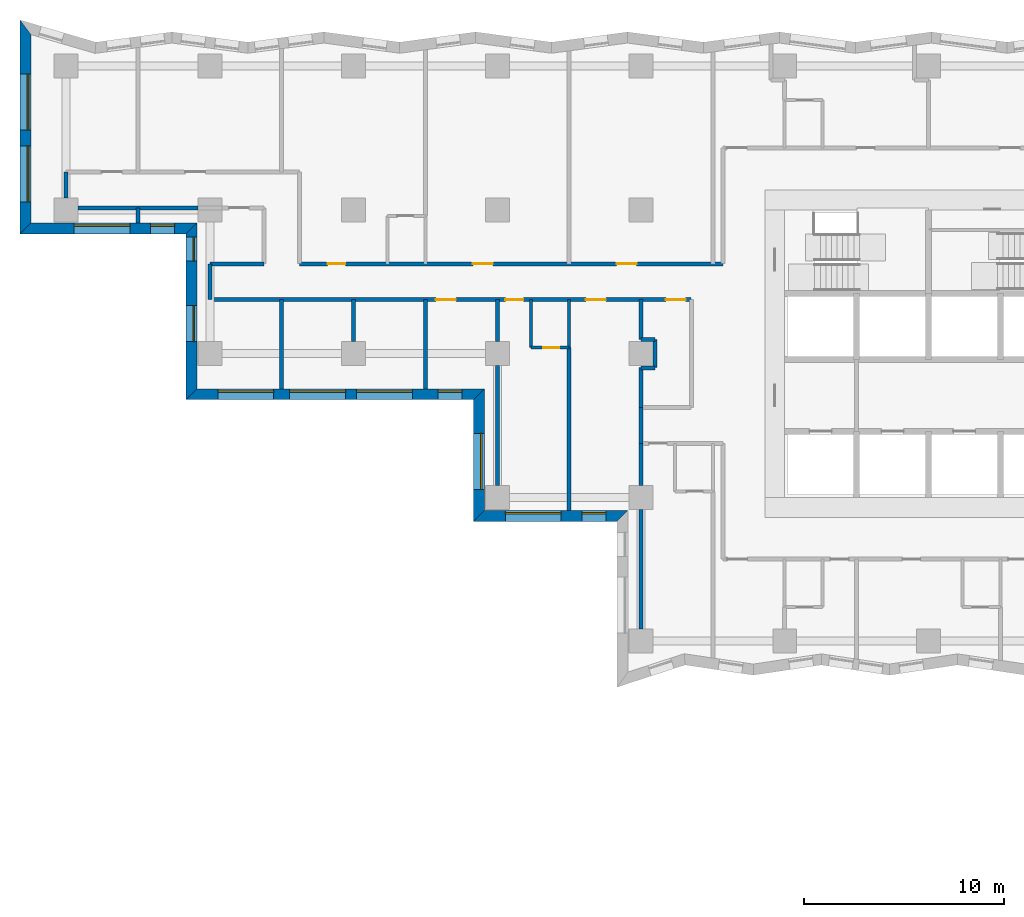
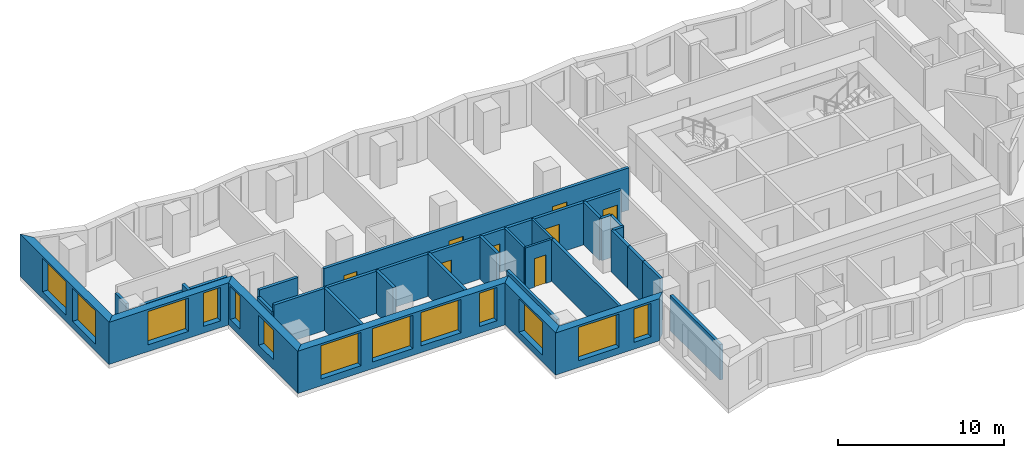
# One storey, part 3 of 12: 30 walls, 13 windows, 8 doors, 21 openings.
"""IFC4 building model written with IfcOpenShell, lengths in metres."""

from ifc_helpers import new_model, si_unit, direction, frame, frame_2d, origin, place, context, subcontext, project, spatial, polyline, rectangle, outline, extrude, material, layer, layer_set, type_object, element, fill, save


model = new_model("IFC4")

# Units and contexts
model_context = context("Model", 3, precision=1e-05, world=origin(), true_north=direction((0.0, 1.0)))
body_context = subcontext(model_context, "Body", "Model", "MODEL_VIEW")
ifc_project = project(units=[si_unit("LENGTHUNIT", "METRE"), si_unit("AREAUNIT", "SQUARE_METRE"), si_unit("VOLUMEUNIT", "CUBIC_METRE"), si_unit("PLANEANGLEUNIT", "RADIAN"), si_unit("MASSUNIT", "GRAM", prefix="KILO")], contexts=[model_context])

# Site, building, storey
site_placement = place(None, origin())
site = spatial("IfcSite", under=ifc_project, at=site_placement, CompositionType="ELEMENT")
building_placement = place(site_placement, origin())
building = spatial("IfcBuilding", under=site, at=building_placement, Name="Windrow Commons", CompositionType="ELEMENT")
storey_placement = place(building_placement, frame((0.0, 0.0, 50.8)))
storey = spatial("IfcBuildingStorey", under=building, at=storey_placement, Name="L13", CompositionType="ELEMENT", Elevation=50.8)

# Wall, openings, windows
ifc_material_1 = material(Name="Brick masonry, red clay brick", Category="masonry")
ifc_layer_1 = layer(ifc_material_1, 0.55)
ifc_layer_set_1 = layer_set([ifc_layer_1], Name="Brick facade wall 550")
wall_type_1 = type_object("IfcWallType", Name="Brick facade wall 550", PredefinedType="SOLIDWALL", material=ifc_layer_set_1)
wall_1_placement = place(storey_placement, frame((19.563, 73.9451, 0.0), z_axis=(0.0, 0.0, 1.0), x_axis=(0.0, -1.0, 0.0)))
wall_1 = element("IfcWall", 1, at=wall_1_placement, inside=storey, type_object=wall_type_1, Name="Brick facade wall L13 39", PredefinedType="SOLIDWALL", context=body_context, shape_type="SweptSolid", body=[
    extrude(outline(polyline([(-0.3669, -0.275), (10.3451, -0.275), (9.7951, 0.275), (0.3669, 0.275), (-0.3669, -0.275)])), origin(), (0.0, 0.0, 1.0), 3.1),
])
opening_1_placement = place(wall_1_placement, frame((2.3451, 0.0, 0.5)))
opening_1 = element("IfcOpeningElement", 2, at=opening_1_placement, cuts=wall_1, Name="Opening W1T", PredefinedType="OPENING", context=body_context, shape_type="SweptSolid", body=[
    extrude(rectangle(XDim=2.8, YDim=2.45, at=frame_2d((1.4, 1.225))), frame((0.0, 0.285, 0.0), z_axis=(0.0, -1.0, 0.0), x_axis=(1.0, 0.0, 0.0)), (0.0, 0.0, 1.0), 0.57),
])
opening_2_placement = place(wall_1_placement, frame((5.9451, 0.0, 0.5)))
opening_2 = element("IfcOpeningElement", 3, at=opening_2_placement, cuts=wall_1, Name="Opening W1T", PredefinedType="OPENING", context=body_context, shape_type="SweptSolid", body=[
    extrude(rectangle(XDim=2.8, YDim=2.45, at=frame_2d((1.4, 1.225))), frame((0.0, 0.285, 0.0), z_axis=(0.0, -1.0, 0.0), x_axis=(1.0, 0.0, 0.0)), (0.0, 0.0, 1.0), 0.57),
])
ifc_material_2 = material(Name="Clear float glass in anodised aluminium frame", Category="aluminium")
window_type_1 = type_object("IfcWindowType", Name="Window W1T bedroom 2800x2450", PartitioningType="SINGLE_PANEL", PredefinedType="WINDOW", material=ifc_material_2)
window_1_placement = place(opening_1_placement, origin())
window_1 = element("IfcWindow", 4, at=window_1_placement, inside=storey, type_object=window_type_1, Name="Window L13 39.1", OverallHeight=2.45, OverallWidth=2.8, PartitioningType="SINGLE_PANEL", PredefinedType="WINDOW", context=body_context, shape_type="SweptSolid", body=[
    extrude(rectangle(XDim=2.8, YDim=2.45, at=frame_2d((1.4, 1.225))), frame((0.0, 0.155, 0.0), z_axis=(0.0, -1.0, 0.0), x_axis=(1.0, 0.0, 0.0)), (0.0, 0.0, 1.0), 0.06),
])
fill(opening_1, window_1)
window_2_placement = place(opening_2_placement, origin())
window_2 = element("IfcWindow", 5, at=window_2_placement, inside=storey, type_object=window_type_1, Name="Window L13 39.2", OverallHeight=2.45, OverallWidth=2.8, PartitioningType="SINGLE_PANEL", PredefinedType="WINDOW", context=body_context, shape_type="SweptSolid", body=[
    extrude(rectangle(XDim=2.8, YDim=2.45, at=frame_2d((1.4, 1.225))), frame((0.0, 0.155, 0.0), z_axis=(0.0, -1.0, 0.0), x_axis=(1.0, 0.0, 0.0)), (0.0, 0.0, 1.0), 0.06),
])
fill(opening_2, window_2)

wall_2_placement = place(storey_placement, frame((19.563, 63.875, 0.0), z_axis=(0.0, 0.0, 1.0), x_axis=(1.0, 0.0, 0.0)))
wall_2 = element("IfcWall", 6, at=wall_2_placement, inside=storey, type_object=wall_type_1, Name="Brick facade wall L13 40", PredefinedType="SOLIDWALL", context=body_context, shape_type="SweptSolid", body=[
    extrude(outline(polyline([(-0.275, -0.275), (8.037, -0.275), (8.587, 0.275), (0.275, 0.275), (-0.275, -0.275)])), origin(), (0.0, 0.0, 1.0), 3.1),
])
opening_3_placement = place(wall_2_placement, frame((2.437, 0.0, 0.5)))
opening_3 = element("IfcOpeningElement", 7, at=opening_3_placement, cuts=wall_2, Name="Opening W1T", PredefinedType="OPENING", context=body_context, shape_type="SweptSolid", body=[
    extrude(rectangle(XDim=2.8, YDim=2.45, at=frame_2d((1.4, 1.225))), frame((0.0, 0.285, 0.0), z_axis=(0.0, -1.0, 0.0), x_axis=(1.0, 0.0, 0.0)), (0.0, 0.0, 1.0), 0.57),
])
opening_4_placement = place(wall_2_placement, frame((6.2745, 0.0, 0.5)))
opening_4 = element("IfcOpeningElement", 8, at=opening_4_placement, cuts=wall_2, Name="Opening W7D", PredefinedType="OPENING", context=body_context, shape_type="SweptSolid", body=[
    extrude(rectangle(XDim=1.2, YDim=2.45, at=frame_2d((0.6, 1.225))), frame((0.0, 0.285, 0.0), z_axis=(0.0, -1.0, 0.0), x_axis=(1.0, 0.0, 0.0)), (0.0, 0.0, 1.0), 0.57),
])
window_3_placement = place(opening_3_placement, origin())
window_3 = element("IfcWindow", 9, at=window_3_placement, inside=storey, type_object=window_type_1, Name="Window L13 40.1", OverallHeight=2.45, OverallWidth=2.8, PartitioningType="SINGLE_PANEL", PredefinedType="WINDOW", context=body_context, shape_type="SweptSolid", body=[
    extrude(rectangle(XDim=2.8, YDim=2.45, at=frame_2d((1.4, 1.225))), frame((0.0, 0.155, 0.0), z_axis=(0.0, -1.0, 0.0), x_axis=(1.0, 0.0, 0.0)), (0.0, 0.0, 1.0), 0.06),
])
fill(opening_3, window_3)
ifc_material_3 = material(Name="Clear float glass in anodised aluminium frame", Category="aluminium")
window_type_2 = type_object("IfcWindowType", Name="Window W7 notch 1200x2450", PartitioningType="SINGLE_PANEL", PredefinedType="WINDOW", material=ifc_material_3)
window_4_placement = place(opening_4_placement, origin())
window_4 = element("IfcWindow", 10, at=window_4_placement, inside=storey, type_object=window_type_2, Name="Window L13 40.2", OverallHeight=2.45, OverallWidth=1.2, PartitioningType="SINGLE_PANEL", PredefinedType="WINDOW", context=body_context, shape_type="SweptSolid", body=[
    extrude(rectangle(XDim=1.2, YDim=2.45, at=frame_2d((0.6, 1.225))), frame((0.0, 0.155, 0.0), z_axis=(0.0, -1.0, 0.0), x_axis=(1.0, 0.0, 0.0)), (0.0, 0.0, 1.0), 0.06),
])
fill(opening_4, window_4)

wall_3_placement = place(storey_placement, frame((27.875, 63.875, 0.0), z_axis=(0.0, 0.0, 1.0), x_axis=(0.0, -1.0, 0.0)))
wall_3 = element("IfcWall", 11, at=wall_3_placement, inside=storey, type_object=wall_type_1, Name="Brick facade wall L13 41", PredefinedType="SOLIDWALL", context=body_context, shape_type="SweptSolid", body=[
    extrude(outline(polyline([(0.275, -0.275), (8.587, -0.275), (8.037, 0.275), (-0.275, 0.275), (0.275, -0.275)])), origin(), (0.0, 0.0, 1.0), 3.1),
])
opening_5_placement = place(wall_3_placement, frame((0.4375, 0.0, 0.5)))
opening_5 = element("IfcOpeningElement", 12, at=opening_5_placement, cuts=wall_3, Name="Opening W7D", PredefinedType="OPENING", context=body_context, shape_type="SweptSolid", body=[
    extrude(rectangle(XDim=1.2, YDim=2.45, at=frame_2d((0.6, 1.225))), frame((0.0, 0.285, 0.0), z_axis=(0.0, -1.0, 0.0), x_axis=(1.0, 0.0, 0.0)), (0.0, 0.0, 1.0), 0.57),
])
opening_6_placement = place(wall_3_placement, frame((3.875, 0.0, 0.7)))
opening_6 = element("IfcOpeningElement", 13, at=opening_6_placement, cuts=wall_3, Name="Opening W6", PredefinedType="OPENING", context=body_context, shape_type="SweptSolid", body=[
    extrude(rectangle(XDim=1.8, YDim=2.2, at=frame_2d((0.9, 1.1))), frame((0.0, 0.285, 0.0), z_axis=(0.0, -1.0, 0.0), x_axis=(1.0, 0.0, 0.0)), (0.0, 0.0, 1.0), 0.57),
])
ifc_material_4 = material(Name="Clear float glass in anodised aluminium frame", Category="aluminium")
window_type_3 = type_object("IfcWindowType", Name="Window W6 crown 1800x2200", PartitioningType="SINGLE_PANEL", PredefinedType="WINDOW", material=ifc_material_4)
window_5_placement = place(opening_6_placement, origin())
window_5 = element("IfcWindow", 14, at=window_5_placement, inside=storey, type_object=window_type_3, Name="Window L13 41.1A", OverallHeight=2.2, OverallWidth=1.8, PartitioningType="SINGLE_PANEL", PredefinedType="WINDOW", context=body_context, shape_type="SweptSolid", body=[
    extrude(rectangle(XDim=1.8, YDim=2.2, at=frame_2d((0.9, 1.1))), frame((0.0, 0.155, 0.0), z_axis=(0.0, -1.0, 0.0), x_axis=(1.0, 0.0, 0.0)), (0.0, 0.0, 1.0), 0.06),
])
fill(opening_6, window_5)
window_6_placement = place(opening_5_placement, origin())
window_6 = element("IfcWindow", 15, at=window_6_placement, inside=storey, type_object=window_type_2, Name="Window L13 41.2", OverallHeight=2.45, OverallWidth=1.2, PartitioningType="SINGLE_PANEL", PredefinedType="WINDOW", context=body_context, shape_type="SweptSolid", body=[
    extrude(rectangle(XDim=1.2, YDim=2.45, at=frame_2d((0.6, 1.225))), frame((0.0, 0.155, 0.0), z_axis=(0.0, -1.0, 0.0), x_axis=(1.0, 0.0, 0.0)), (0.0, 0.0, 1.0), 0.06),
])
fill(opening_5, window_6)

wall_4_placement = place(storey_placement, frame((27.875, 55.563, 0.0), z_axis=(0.0, 0.0, 1.0), x_axis=(1.0, 0.0, 0.0)))
wall_4 = element("IfcWall", 16, at=wall_4_placement, inside=storey, type_object=wall_type_1, Name="Brick facade wall L13 42", PredefinedType="SOLIDWALL", context=body_context, shape_type="SweptSolid", body=[
    extrude(outline(polyline([(-0.275, -0.275), (14.125, -0.275), (14.675, 0.275), (0.275, 0.275), (-0.275, -0.275)])), origin(), (0.0, 0.0, 1.0), 3.1),
])
opening_7_placement = place(wall_4_placement, frame((1.325, 0.0, 0.5)))
opening_7 = element("IfcOpeningElement", 17, at=opening_7_placement, cuts=wall_4, Name="Opening W1T", PredefinedType="OPENING", context=body_context, shape_type="SweptSolid", body=[
    extrude(rectangle(XDim=2.8, YDim=2.45, at=frame_2d((1.4, 1.225))), frame((0.0, 0.285, 0.0), z_axis=(0.0, -1.0, 0.0), x_axis=(1.0, 0.0, 0.0)), (0.0, 0.0, 1.0), 0.57),
])
opening_8_placement = place(wall_4_placement, frame((4.925, 0.0, 0.5)))
opening_8 = element("IfcOpeningElement", 18, at=opening_8_placement, cuts=wall_4, Name="Opening W1T", PredefinedType="OPENING", context=body_context, shape_type="SweptSolid", body=[
    extrude(rectangle(XDim=2.8, YDim=2.45, at=frame_2d((1.4, 1.225))), frame((0.0, 0.285, 0.0), z_axis=(0.0, -1.0, 0.0), x_axis=(1.0, 0.0, 0.0)), (0.0, 0.0, 1.0), 0.57),
])
opening_9_placement = place(wall_4_placement, frame((8.275, 0.0, 0.5)))
opening_9 = element("IfcOpeningElement", 19, at=opening_9_placement, cuts=wall_4, Name="Opening W1T", PredefinedType="OPENING", context=body_context, shape_type="SweptSolid", body=[
    extrude(rectangle(XDim=2.8, YDim=2.45, at=frame_2d((1.4, 1.225))), frame((0.0, 0.285, 0.0), z_axis=(0.0, -1.0, 0.0), x_axis=(1.0, 0.0, 0.0)), (0.0, 0.0, 1.0), 0.57),
])
opening_10_placement = place(wall_4_placement, frame((12.3625, 0.0, 0.5)))
opening_10 = element("IfcOpeningElement", 20, at=opening_10_placement, cuts=wall_4, Name="Opening W7D", PredefinedType="OPENING", context=body_context, shape_type="SweptSolid", body=[
    extrude(rectangle(XDim=1.2, YDim=2.45, at=frame_2d((0.6, 1.225))), frame((0.0, 0.285, 0.0), z_axis=(0.0, -1.0, 0.0), x_axis=(1.0, 0.0, 0.0)), (0.0, 0.0, 1.0), 0.57),
])
window_7_placement = place(opening_7_placement, origin())
window_7 = element("IfcWindow", 21, at=window_7_placement, inside=storey, type_object=window_type_1, Name="Window L13 42.1", OverallHeight=2.45, OverallWidth=2.8, PartitioningType="SINGLE_PANEL", PredefinedType="WINDOW", context=body_context, shape_type="SweptSolid", body=[
    extrude(rectangle(XDim=2.8, YDim=2.45, at=frame_2d((1.4, 1.225))), frame((0.0, 0.155, 0.0), z_axis=(0.0, -1.0, 0.0), x_axis=(1.0, 0.0, 0.0)), (0.0, 0.0, 1.0), 0.06),
])
fill(opening_7, window_7)
window_8_placement = place(opening_8_placement, origin())
window_8 = element("IfcWindow", 22, at=window_8_placement, inside=storey, type_object=window_type_1, Name="Window L13 42.2", OverallHeight=2.45, OverallWidth=2.8, PartitioningType="SINGLE_PANEL", PredefinedType="WINDOW", context=body_context, shape_type="SweptSolid", body=[
    extrude(rectangle(XDim=2.8, YDim=2.45, at=frame_2d((1.4, 1.225))), frame((0.0, 0.155, 0.0), z_axis=(0.0, -1.0, 0.0), x_axis=(1.0, 0.0, 0.0)), (0.0, 0.0, 1.0), 0.06),
])
fill(opening_8, window_8)
window_9_placement = place(opening_9_placement, origin())
window_9 = element("IfcWindow", 23, at=window_9_placement, inside=storey, type_object=window_type_1, Name="Window L13 42.3", OverallHeight=2.45, OverallWidth=2.8, PartitioningType="SINGLE_PANEL", PredefinedType="WINDOW", context=body_context, shape_type="SweptSolid", body=[
    extrude(rectangle(XDim=2.8, YDim=2.45, at=frame_2d((1.4, 1.225))), frame((0.0, 0.155, 0.0), z_axis=(0.0, -1.0, 0.0), x_axis=(1.0, 0.0, 0.0)), (0.0, 0.0, 1.0), 0.06),
])
fill(opening_9, window_9)
window_10_placement = place(opening_10_placement, origin())
window_10 = element("IfcWindow", 24, at=window_10_placement, inside=storey, type_object=window_type_2, Name="Window L13 42.4", OverallHeight=2.45, OverallWidth=1.2, PartitioningType="SINGLE_PANEL", PredefinedType="WINDOW", context=body_context, shape_type="SweptSolid", body=[
    extrude(rectangle(XDim=1.2, YDim=2.45, at=frame_2d((0.6, 1.225))), frame((0.0, 0.155, 0.0), z_axis=(0.0, -1.0, 0.0), x_axis=(1.0, 0.0, 0.0)), (0.0, 0.0, 1.0), 0.06),
])
fill(opening_10, window_10)

# Wall, opening, window
wall_5_placement = place(storey_placement, frame((42.275, 55.563, 0.0), z_axis=(0.0, 0.0, 1.0), x_axis=(0.0, -1.0, 0.0)))
wall_5 = element("IfcWall", 25, at=wall_5_placement, inside=storey, type_object=wall_type_1, Name="Brick facade wall L13 43", PredefinedType="SOLIDWALL", context=body_context, shape_type="SweptSolid", body=[
    extrude(outline(polyline([(0.275, -0.275), (6.363, -0.275), (5.813, 0.275), (-0.275, 0.275), (0.275, -0.275)])), origin(), (0.0, 0.0, 1.0), 3.1),
])
opening_11_placement = place(wall_5_placement, frame((1.963, 0.0, 0.5)))
opening_11 = element("IfcOpeningElement", 26, at=opening_11_placement, cuts=wall_5, Name="Opening W1T", PredefinedType="OPENING", context=body_context, shape_type="SweptSolid", body=[
    extrude(rectangle(XDim=2.8, YDim=2.45, at=frame_2d((1.4, 1.225))), frame((0.0, 0.285, 0.0), z_axis=(0.0, -1.0, 0.0), x_axis=(1.0, 0.0, 0.0)), (0.0, 0.0, 1.0), 0.57),
])
window_11_placement = place(opening_11_placement, origin())
window_11 = element("IfcWindow", 27, at=window_11_placement, inside=storey, type_object=window_type_1, Name="Window L13 43.1", OverallHeight=2.45, OverallWidth=2.8, PartitioningType="SINGLE_PANEL", PredefinedType="WINDOW", context=body_context, shape_type="SweptSolid", body=[
    extrude(rectangle(XDim=2.8, YDim=2.45, at=frame_2d((1.4, 1.225))), frame((0.0, 0.155, 0.0), z_axis=(0.0, -1.0, 0.0), x_axis=(1.0, 0.0, 0.0)), (0.0, 0.0, 1.0), 0.06),
])
fill(opening_11, window_11)

# Wall, openings, windows
wall_6_placement = place(storey_placement, frame((42.275, 49.475, 0.0), z_axis=(0.0, 0.0, 1.0), x_axis=(1.0, 0.0, 0.0)))
wall_6 = element("IfcWall", 28, at=wall_6_placement, inside=storey, type_object=wall_type_1, Name="Brick facade wall L13 44", PredefinedType="SOLIDWALL", context=body_context, shape_type="SweptSolid", body=[
    extrude(outline(polyline([(-0.275, -0.275), (6.925, -0.275), (7.475, 0.275), (0.275, 0.275), (-0.275, -0.275)])), origin(), (0.0, 0.0, 1.0), 3.1),
])
opening_12_placement = place(wall_6_placement, frame((1.325, 0.0, 0.5)))
opening_12 = element("IfcOpeningElement", 29, at=opening_12_placement, cuts=wall_6, Name="Opening W1T", PredefinedType="OPENING", context=body_context, shape_type="SweptSolid", body=[
    extrude(rectangle(XDim=2.8, YDim=2.45, at=frame_2d((1.4, 1.225))), frame((0.0, 0.285, 0.0), z_axis=(0.0, -1.0, 0.0), x_axis=(1.0, 0.0, 0.0)), (0.0, 0.0, 1.0), 0.57),
])
opening_13_placement = place(wall_6_placement, frame((5.1625, 0.0, 0.5)))
opening_13 = element("IfcOpeningElement", 30, at=opening_13_placement, cuts=wall_6, Name="Opening W7D", PredefinedType="OPENING", context=body_context, shape_type="SweptSolid", body=[
    extrude(rectangle(XDim=1.2, YDim=2.45, at=frame_2d((0.6, 1.225))), frame((0.0, 0.285, 0.0), z_axis=(0.0, -1.0, 0.0), x_axis=(1.0, 0.0, 0.0)), (0.0, 0.0, 1.0), 0.57),
])
window_12_placement = place(opening_12_placement, origin())
window_12 = element("IfcWindow", 31, at=window_12_placement, inside=storey, type_object=window_type_1, Name="Window L13 44.1", OverallHeight=2.45, OverallWidth=2.8, PartitioningType="SINGLE_PANEL", PredefinedType="WINDOW", context=body_context, shape_type="SweptSolid", body=[
    extrude(rectangle(XDim=2.8, YDim=2.45, at=frame_2d((1.4, 1.225))), frame((0.0, 0.155, 0.0), z_axis=(0.0, -1.0, 0.0), x_axis=(1.0, 0.0, 0.0)), (0.0, 0.0, 1.0), 0.06),
])
fill(opening_12, window_12)
window_13_placement = place(opening_13_placement, origin())
window_13 = element("IfcWindow", 32, at=window_13_placement, inside=storey, type_object=window_type_2, Name="Window L13 44.2", OverallHeight=2.45, OverallWidth=1.2, PartitioningType="SINGLE_PANEL", PredefinedType="WINDOW", context=body_context, shape_type="SweptSolid", body=[
    extrude(rectangle(XDim=1.2, YDim=2.45, at=frame_2d((0.6, 1.225))), frame((0.0, 0.155, 0.0), z_axis=(0.0, -1.0, 0.0), x_axis=(1.0, 0.0, 0.0)), (0.0, 0.0, 1.0), 0.06),
])
fill(opening_13, window_13)

# Wall, openings, doors
ifc_material_5 = material(Name="Blockwork partition", Category="masonry")
ifc_layer_2 = layer(ifc_material_5, 0.2)
ifc_layer_set_2 = layer_set([ifc_layer_2], Name="IW-CORRIDOR-200")
wall_type_2 = type_object("IfcWallType", Name="IW-CORRIDOR-200", PredefinedType="PARTITIONING", material=ifc_layer_set_2)
wall_7_placement = place(storey_placement, frame((28.802, 60.3, 0.0), z_axis=(0.0, 0.0, 1.0), x_axis=(1.0, 0.0, 0.0)))
wall_7 = element("IfcWall", 33, at=wall_7_placement, inside=storey, type_object=wall_type_2, Name="W-L13-W001", PredefinedType="PARTITIONING", context=body_context, shape_type="SweptSolid", body=[
    extrude(rectangle(XDim=24.108, YDim=0.2, at=frame_2d((12.054, 0.0))), origin(), (0.0, 0.0, 1.0), 3.1),
])
opening_14_placement = place(wall_7_placement, frame((11.323, 0.0, 0.0)))
opening_14 = element("IfcOpeningElement", 34, at=opening_14_placement, cuts=wall_7, Name="Opening D310F", PredefinedType="OPENING", context=body_context, shape_type="SweptSolid", body=[
    extrude(rectangle(XDim=1.0, YDim=2.1, at=frame_2d((0.5, 1.05))), frame((0.0, 0.11, 0.0), z_axis=(0.0, -1.0, 0.0), x_axis=(1.0, 0.0, 0.0)), (0.0, 0.0, 1.0), 0.22),
])
opening_15_placement = place(wall_7_placement, frame((14.798, 0.0, 0.0)))
opening_15 = element("IfcOpeningElement", 35, at=opening_15_placement, cuts=wall_7, Name="Opening D109S", PredefinedType="OPENING", context=body_context, shape_type="SweptSolid", body=[
    extrude(rectangle(XDim=0.9, YDim=2.1, at=frame_2d((0.45, 1.05))), frame((0.0, 0.11, 0.0), z_axis=(0.0, -1.0, 0.0), x_axis=(1.0, 0.0, 0.0)), (0.0, 0.0, 1.0), 0.22),
])
opening_16_placement = place(wall_7_placement, frame((18.833, 0.0, 0.0)))
opening_16 = element("IfcOpeningElement", 36, at=opening_16_placement, cuts=wall_7, Name="Opening D310F", PredefinedType="OPENING", context=body_context, shape_type="SweptSolid", body=[
    extrude(rectangle(XDim=1.0, YDim=2.1, at=frame_2d((0.5, 1.05))), frame((0.0, 0.11, 0.0), z_axis=(0.0, -1.0, 0.0), x_axis=(1.0, 0.0, 0.0)), (0.0, 0.0, 1.0), 0.22),
])
opening_17_placement = place(wall_7_placement, frame((22.8387, 0.0, 0.0)))
opening_17 = element("IfcOpeningElement", 37, at=opening_17_placement, cuts=wall_7, Name="Opening D410F", PredefinedType="OPENING", context=body_context, shape_type="SweptSolid", body=[
    extrude(rectangle(XDim=1.0, YDim=2.1, at=frame_2d((0.5, 1.05))), frame((0.0, 0.11, 0.0), z_axis=(0.0, -1.0, 0.0), x_axis=(1.0, 0.0, 0.0)), (0.0, 0.0, 1.0), 0.22),
])
ifc_material_6 = material(Name="Timber door leaf", Category="wood")
door_type_1 = type_object("IfcDoorType", Name="DT-AMENITY-1000", OperationType="SINGLE_SWING_LEFT", PredefinedType="DOOR", material=ifc_material_6)
door_1_placement = place(opening_14_placement, origin())
door_1 = element("IfcDoor", 38, at=door_1_placement, inside=storey, type_object=door_type_1, Name="D-L13-D014", OperationType="SINGLE_SWING_RIGHT", OverallHeight=2.1, OverallWidth=1.0, PredefinedType="DOOR", context=body_context, shape_type="SweptSolid", body=[
    extrude(rectangle(XDim=1.0, YDim=2.1, at=frame_2d((0.5, 1.05))), frame((0.0, 0.025, 0.0), z_axis=(0.0, -1.0, 0.0), x_axis=(1.0, 0.0, 0.0)), (0.0, 0.0, 1.0), 0.05),
])
fill(opening_14, door_1)
door_2_placement = place(opening_16_placement, origin())
door_2 = element("IfcDoor", 39, at=door_2_placement, inside=storey, type_object=door_type_1, Name="D-L13-D017", OperationType="SINGLE_SWING_RIGHT", OverallHeight=2.1, OverallWidth=1.0, PredefinedType="DOOR", context=body_context, shape_type="SweptSolid", body=[
    extrude(rectangle(XDim=1.0, YDim=2.1, at=frame_2d((0.5, 1.05))), frame((0.0, 0.025, 0.0), z_axis=(0.0, -1.0, 0.0), x_axis=(1.0, 0.0, 0.0)), (0.0, 0.0, 1.0), 0.05),
])
fill(opening_16, door_2)
ifc_material_7 = material(Name="Timber door leaf", Category="wood")
door_type_2 = type_object("IfcDoorType", Name="DT-BEDROOM-900", OperationType="SINGLE_SWING_LEFT", PredefinedType="DOOR", material=ifc_material_7)
door_3_placement = place(opening_15_placement, origin())
door_3 = element("IfcDoor", 40, at=door_3_placement, inside=storey, type_object=door_type_2, Name="D-L13-D015", OperationType="SINGLE_SWING_LEFT", OverallHeight=2.1, OverallWidth=0.9, PredefinedType="DOOR", context=body_context, shape_type="SweptSolid", body=[
    extrude(rectangle(XDim=0.9, YDim=2.1, at=frame_2d((0.45, 1.05))), frame((0.0, 0.025, 0.0), z_axis=(0.0, -1.0, 0.0), x_axis=(1.0, 0.0, 0.0)), (0.0, 0.0, 1.0), 0.05),
])
fill(opening_15, door_3)
ifc_material_8 = material(Name="Timber door leaf", Category="wood")
door_type_3 = type_object("IfcDoorType", Name="DT-SERVICE-1000", OperationType="SINGLE_SWING_LEFT", PredefinedType="DOOR", material=ifc_material_8)
door_4_placement = place(opening_17_placement, origin())
door_4 = element("IfcDoor", 41, at=door_4_placement, inside=storey, type_object=door_type_3, Name="D-L13-D018", OperationType="SINGLE_SWING_LEFT", OverallHeight=2.1, OverallWidth=1.0, PredefinedType="DOOR", context=body_context, shape_type="SweptSolid", body=[
    extrude(rectangle(XDim=1.0, YDim=2.1, at=frame_2d((0.5, 1.05))), frame((0.0, 0.025, 0.0), z_axis=(0.0, -1.0, 0.0), x_axis=(1.0, 0.0, 0.0)), (0.0, 0.0, 1.0), 0.05),
])
fill(opening_17, door_4)

wall_8_placement = place(storey_placement, frame((33.3, 62.1, 0.0), z_axis=(0.0, 0.0, 1.0), x_axis=(1.0, 0.0, 0.0)))
wall_8 = element("IfcWall", 42, at=wall_8_placement, inside=storey, type_object=wall_type_2, Name="W-L13-W002", PredefinedType="PARTITIONING", context=body_context, shape_type="SweptSolid", body=[
    extrude(rectangle(XDim=21.2, YDim=0.2, at=frame_2d((10.6, 0.0))), origin(), (0.0, 0.0, 1.0), 3.1),
])
opening_18_placement = place(wall_8_placement, frame((1.3947, 0.0, 0.0)))
opening_18 = element("IfcOpeningElement", 43, at=opening_18_placement, cuts=wall_8, Name="Opening D109F", PredefinedType="OPENING", context=body_context, shape_type="SweptSolid", body=[
    extrude(rectangle(XDim=0.9, YDim=2.1, at=frame_2d((0.45, 1.05))), frame((0.0, 0.11, 0.0), z_axis=(0.0, -1.0, 0.0), x_axis=(1.0, 0.0, 0.0)), (0.0, 0.0, 1.0), 0.22),
])
opening_19_placement = place(wall_8_placement, frame((8.6737, 0.0, 0.0)))
opening_19 = element("IfcOpeningElement", 44, at=opening_19_placement, cuts=wall_8, Name="Opening D310F", PredefinedType="OPENING", context=body_context, shape_type="SweptSolid", body=[
    extrude(rectangle(XDim=1.0, YDim=2.1, at=frame_2d((0.5, 1.05))), frame((0.0, 0.11, 0.0), z_axis=(0.0, -1.0, 0.0), x_axis=(1.0, 0.0, 0.0)), (0.0, 0.0, 1.0), 0.22),
])
opening_20_placement = place(wall_8_placement, frame((15.8737, 0.0, 0.0)))
opening_20 = element("IfcOpeningElement", 45, at=opening_20_placement, cuts=wall_8, Name="Opening D310F", PredefinedType="OPENING", context=body_context, shape_type="SweptSolid", body=[
    extrude(rectangle(XDim=1.0, YDim=2.1, at=frame_2d((0.5, 1.05))), frame((0.0, 0.11, 0.0), z_axis=(0.0, -1.0, 0.0), x_axis=(1.0, 0.0, 0.0)), (0.0, 0.0, 1.0), 0.22),
])
door_5_placement = place(opening_19_placement, origin())
door_5 = element("IfcDoor", 46, at=door_5_placement, inside=storey, type_object=door_type_1, Name="D-L13-D008", OperationType="SINGLE_SWING_LEFT", OverallHeight=2.1, OverallWidth=1.0, PredefinedType="DOOR", context=body_context, shape_type="SweptSolid", body=[
    extrude(rectangle(XDim=1.0, YDim=2.1, at=frame_2d((0.5, 1.05))), frame((0.0, 0.025, 0.0), z_axis=(0.0, -1.0, 0.0), x_axis=(1.0, 0.0, 0.0)), (0.0, 0.0, 1.0), 0.05),
])
fill(opening_19, door_5)
door_6_placement = place(opening_20_placement, origin())
door_6 = element("IfcDoor", 47, at=door_6_placement, inside=storey, type_object=door_type_1, Name="D-L13-D009", OperationType="SINGLE_SWING_LEFT", OverallHeight=2.1, OverallWidth=1.0, PredefinedType="DOOR", context=body_context, shape_type="SweptSolid", body=[
    extrude(rectangle(XDim=1.0, YDim=2.1, at=frame_2d((0.5, 1.05))), frame((0.0, 0.025, 0.0), z_axis=(0.0, -1.0, 0.0), x_axis=(1.0, 0.0, 0.0)), (0.0, 0.0, 1.0), 0.05),
])
fill(opening_20, door_6)
door_7_placement = place(opening_18_placement, origin())
door_7 = element("IfcDoor", 48, at=door_7_placement, inside=storey, type_object=door_type_2, Name="D-L13-D006", OperationType="SINGLE_SWING_LEFT", OverallHeight=2.1, OverallWidth=0.9, PredefinedType="DOOR", context=body_context, shape_type="SweptSolid", body=[
    extrude(rectangle(XDim=0.9, YDim=2.1, at=frame_2d((0.45, 1.05))), frame((0.0, 0.025, 0.0), z_axis=(0.0, -1.0, 0.0), x_axis=(1.0, 0.0, 0.0)), (0.0, 0.0, 1.0), 0.05),
])
fill(opening_18, door_7)

# Walls
wall_9_placement = place(storey_placement, frame((22.2, 64.9, 0.0), z_axis=(0.0, 0.0, 1.0), x_axis=(1.0, 0.0, 0.0)))
element("IfcWall", 49, at=wall_9_placement, inside=storey, type_object=wall_type_2, Name="W-L13-W028", PredefinedType="PARTITIONING", context=body_context, shape_type="SweptSolid", body=[
    extrude(rectangle(XDim=6.0, YDim=0.2, at=frame_2d((3.0, 0.0))), origin(), (0.0, 0.0, 1.0), 2.6),
])
wall_10_placement = place(storey_placement, frame((28.802, 62.1, 0.0), z_axis=(0.0, 0.0, 1.0), x_axis=(1.0, 0.0, 0.0)))
element("IfcWall", 50, at=wall_10_placement, inside=storey, type_object=wall_type_2, Name="W-L13-W059", PredefinedType="PARTITIONING", context=body_context, shape_type="SweptSolid", body=[
    extrude(rectangle(XDim=2.698, YDim=0.2, at=frame_2d((1.349, 0.0))), origin(), (0.0, 0.0, 1.0), 3.1),
])
wall_11_placement = place(storey_placement, frame((50.4, 53.1, 0.0), z_axis=(0.0, 0.0, 1.0), x_axis=(0.0, 1.0, 0.0)))
element("IfcWall", 51, at=wall_11_placement, inside=storey, type_object=wall_type_2, Name="W-L13-W128", PredefinedType="PARTITIONING", context=body_context, shape_type="SweptSolid", body=[
    extrude(rectangle(XDim=1.8, YDim=0.2, at=frame_2d((0.9, 0.0))), origin(), (0.0, 0.0, 1.0), 3.1),
])
wall_12_placement = place(storey_placement, frame((28.8, 60.302, 0.0), z_axis=(0.0, 0.0, 1.0), x_axis=(0.0, 1.0, 0.0)))
element("IfcWall", 52, at=wall_12_placement, inside=storey, type_object=wall_type_2, Name="W-L13-W131", PredefinedType="PARTITIONING", context=body_context, shape_type="SweptSolid", body=[
    extrude(rectangle(XDim=1.798, YDim=0.2, at=frame_2d((0.899, 0.0))), origin(), (0.0, 0.0, 1.0), 2.6),
])
wall_13_placement = place(storey_placement, frame((21.6, 65.4, 0.0), z_axis=(0.0, 0.0, 1.0), x_axis=(0.0, 1.0, 0.0)))
element("IfcWall", 53, at=wall_13_placement, inside=storey, type_object=wall_type_2, Name="W-L13-W141", PredefinedType="PARTITIONING", context=body_context, shape_type="SweptSolid", body=[
    extrude(rectangle(XDim=1.3, YDim=0.2, at=frame_2d((0.65, 0.0))), origin(), (0.0, 0.0, 1.0), 2.6),
])
ifc_material_9 = material(Name="Blockwork partition", Category="masonry")
ifc_layer_3 = layer(ifc_material_9, 0.15)
ifc_layer_set_3 = layer_set([ifc_layer_3], Name="IW-ENSUITE-150")
wall_type_3 = type_object("IfcWallType", Name="IW-ENSUITE-150", PredefinedType="PARTITIONING", material=ifc_layer_set_3)
for number, where, z_axis, x_axis, name in (
    (54, (44.9, 57.9, 0.0), (0.0, 0.0, 1.0), (0.0, 1.0, 0.0), "W-L13-W070"),
    (55, (46.8, 57.9, 0.0), (0.0, 0.0, 1.0), (0.0, 1.0, 0.0), "W-L13-W071"),
):
    element("IfcWall", number, at=place(storey_placement, frame(where, z_axis=z_axis, x_axis=x_axis)), inside=storey, type_object=wall_type_3, Name=name, PredefinedType="PARTITIONING", context=body_context, shape_type="SweptSolid", body=[
        extrude(rectangle(XDim=2.4, YDim=0.15, at=frame_2d((1.2, 0.0))), origin(), (0.0, 0.0, 1.0), 3.1),
    ])

# Wall, opening, door
wall_14_placement = place(storey_placement, frame((44.9, 57.9, 0.0), z_axis=(0.0, 0.0, 1.0), x_axis=(1.0, 0.0, 0.0)))
wall_14 = element("IfcWall", 56, at=wall_14_placement, inside=storey, type_object=wall_type_3, Name="W-L13-W112", PredefinedType="PARTITIONING", context=body_context, shape_type="SweptSolid", body=[
    extrude(rectangle(XDim=1.9, YDim=0.15, at=frame_2d((0.95, 0.0))), origin(), (0.0, 0.0, 1.0), 3.1),
])
opening_21_placement = place(wall_14_placement, frame((0.5979, 0.0, 0.0)))
opening_21 = element("IfcOpeningElement", 57, at=opening_21_placement, cuts=wall_14, Name="Opening D208N", PredefinedType="OPENING", context=body_context, shape_type="SweptSolid", body=[
    extrude(rectangle(XDim=0.8, YDim=2.1, at=frame_2d((0.4, 1.05))), frame((0.0, 0.085, 0.0), z_axis=(0.0, -1.0, 0.0), x_axis=(1.0, 0.0, 0.0)), (0.0, 0.0, 1.0), 0.17),
])
ifc_material_10 = material(Name="Timber door leaf", Category="wood")
door_type_4 = type_object("IfcDoorType", Name="DT-ENSUITE-800", OperationType="SINGLE_SWING_LEFT", PredefinedType="DOOR", material=ifc_material_10)
door_8_placement = place(opening_21_placement, origin())
door_8 = element("IfcDoor", 58, at=door_8_placement, inside=storey, type_object=door_type_4, Name="D-L13-D016", OperationType="SINGLE_SWING_RIGHT", OverallHeight=2.1, OverallWidth=0.8, PredefinedType="DOOR", context=body_context, shape_type="SweptSolid", body=[
    extrude(rectangle(XDim=0.8, YDim=2.1, at=frame_2d((0.4, 1.05))), frame((0.0, 0.025, 0.0), z_axis=(0.0, -1.0, 0.0), x_axis=(1.0, 0.0, 0.0)), (0.0, 0.0, 1.0), 0.05),
])
fill(opening_21, door_8)

# Walls
ifc_material_11 = material(Name="Blockwork partition", Category="masonry")
ifc_layer_4 = layer(ifc_material_11, 0.2)
ifc_layer_set_4 = layer_set([ifc_layer_4], Name="IW-PARTY-200")
wall_type_4 = type_object("IfcWallType", Name="IW-PARTY-200", PredefinedType="PARTITIONING", material=ifc_layer_set_4)
wall_15_placement = place(storey_placement, frame((46.8, 49.75, 0.0), z_axis=(0.0, 0.0, 1.0), x_axis=(0.0, 1.0, 0.0)))
element("IfcWall", 59, at=wall_15_placement, inside=storey, type_object=wall_type_4, Name="W-L13-W022", PredefinedType="PARTITIONING", context=body_context, shape_type="SweptSolid", body=[
    extrude(rectangle(XDim=8.15, YDim=0.2, at=frame_2d((4.075, 0.0))), origin(), (0.0, 0.0, 1.0), 3.1),
])
for number, where, z_axis, x_axis, name in (
    (60, (43.2, 51.0, 0.0), (0.0, 0.0, 1.0), (0.0, 1.0, 0.0), "W-L13-W029"),
    (61, (50.4, 43.8, 0.0), (0.0, 0.0, 1.0), (0.0, 1.0, 0.0), "W-L13-W030"),
):
    element("IfcWall", number, at=place(storey_placement, frame(where, z_axis=z_axis, x_axis=x_axis)), inside=storey, type_object=wall_type_4, Name=name, PredefinedType="PARTITIONING", context=body_context, shape_type="SweptSolid", body=[
        extrude(rectangle(XDim=6.0, YDim=0.2, at=frame_2d((3.0, 0.0))), origin(), (0.0, 0.0, 1.0), 2.6),
    ])
for number, where, z_axis, x_axis, name in (
    (62, (32.4, 55.838, 0.0), (0.0, 0.0, 1.0), (0.0, 1.0, 0.0), "W-L13-W045"),
    (63, (39.6, 55.838, 0.0), (0.0, 0.0, 1.0), (0.0, 1.0, 0.0), "W-L13-W046"),
):
    element("IfcWall", number, at=place(storey_placement, frame(where, z_axis=z_axis, x_axis=x_axis)), inside=storey, type_object=wall_type_4, Name=name, PredefinedType="PARTITIONING", context=body_context, shape_type="SweptSolid", body=[
        extrude(rectangle(XDim=4.462, YDim=0.2, at=frame_2d((2.231, 0.0))), origin(), (0.0, 0.0, 1.0), 3.1),
    ])
for number, where, z_axis, x_axis, name in (
    (64, (50.4, 51.0, 0.0), (0.0, 0.0, 1.0), (0.0, 1.0, 0.0), "W-L13-W100"),
    (65, (36.0, 58.2, 0.0), (0.0, 0.0, 1.0), (0.0, 1.0, 0.0), "W-L13-W102"),
    (66, (43.2, 58.2, 0.0), (0.0, 0.0, 1.0), (0.0, 1.0, 0.0), "W-L13-W103"),
):
    element("IfcWall", number, at=place(storey_placement, frame(where, z_axis=z_axis, x_axis=x_axis)), inside=storey, type_object=wall_type_4, Name=name, PredefinedType="PARTITIONING", context=body_context, shape_type="SweptSolid", body=[
        extrude(rectangle(XDim=2.1, YDim=0.2, at=frame_2d((1.05, 0.0))), origin(), (0.0, 0.0, 1.0), 3.1),
    ])
for number, where, z_axis, x_axis, name in (
    (67, (50.4, 54.9, 0.0), (0.0, 0.0, 1.0), (0.0, 1.0, 0.0), "W-L13-W105"),
    (68, (50.4, 58.306, 0.0), (0.0, 0.0, 1.0), (0.0, 1.0, 0.0), "W-L13-W106"),
):
    element("IfcWall", number, at=place(storey_placement, frame(where, z_axis=z_axis, x_axis=x_axis)), inside=storey, type_object=wall_type_4, Name=name, PredefinedType="PARTITIONING", context=body_context, shape_type="SweptSolid", body=[
        extrude(rectangle(XDim=1.994, YDim=0.2, at=frame_2d((0.997, 0.0))), origin(), (0.0, 0.0, 1.0), 3.1),
    ])
wall_16_placement = place(storey_placement, frame((51.1, 56.894, 0.0), z_axis=(0.0, 0.0, 1.0), x_axis=(0.0, 1.0, 0.0)))
element("IfcWall", 69, at=wall_16_placement, inside=storey, type_object=wall_type_4, Name="W-L13-W138", PredefinedType="PARTITIONING", context=body_context, shape_type="SweptSolid", body=[
    extrude(rectangle(XDim=1.412, YDim=0.2, at=frame_2d((0.706, 0.0))), origin(), (0.0, 0.0, 1.0), 3.1),
])
wall_17_placement = place(storey_placement, frame((25.2, 64.15, 0.0), z_axis=(0.0, 0.0, 1.0), x_axis=(0.0, 1.0, 0.0)))
element("IfcWall", 70, at=wall_17_placement, inside=storey, type_object=wall_type_4, Name="W-L13-W151", PredefinedType="PARTITIONING", context=body_context, shape_type="SweptSolid", body=[
    extrude(rectangle(XDim=0.75, YDim=0.2, at=frame_2d((0.375, 0.0))), origin(), (0.0, 0.0, 1.0), 3.1),
])
for number, where, z_axis, x_axis, name in (
    (71, (50.4, 58.31, 0.0), (0.0, 0.0, 1.0), (1.0, 0.0, 0.0), "W-L13-W152"),
    (72, (50.4, 56.89, 0.0), (0.0, 0.0, 1.0), (1.0, 0.0, 0.0), "W-L13-W153"),
):
    element("IfcWall", number, at=place(storey_placement, frame(where, z_axis=z_axis, x_axis=x_axis)), inside=storey, type_object=wall_type_4, Name=name, PredefinedType="PARTITIONING", context=body_context, shape_type="SweptSolid", body=[
        extrude(rectangle(XDim=0.7, YDim=0.2, at=frame_2d((0.35, 0.0))), origin(), (0.0, 0.0, 1.0), 3.1),
    ])

save(model, "model.ifc")
